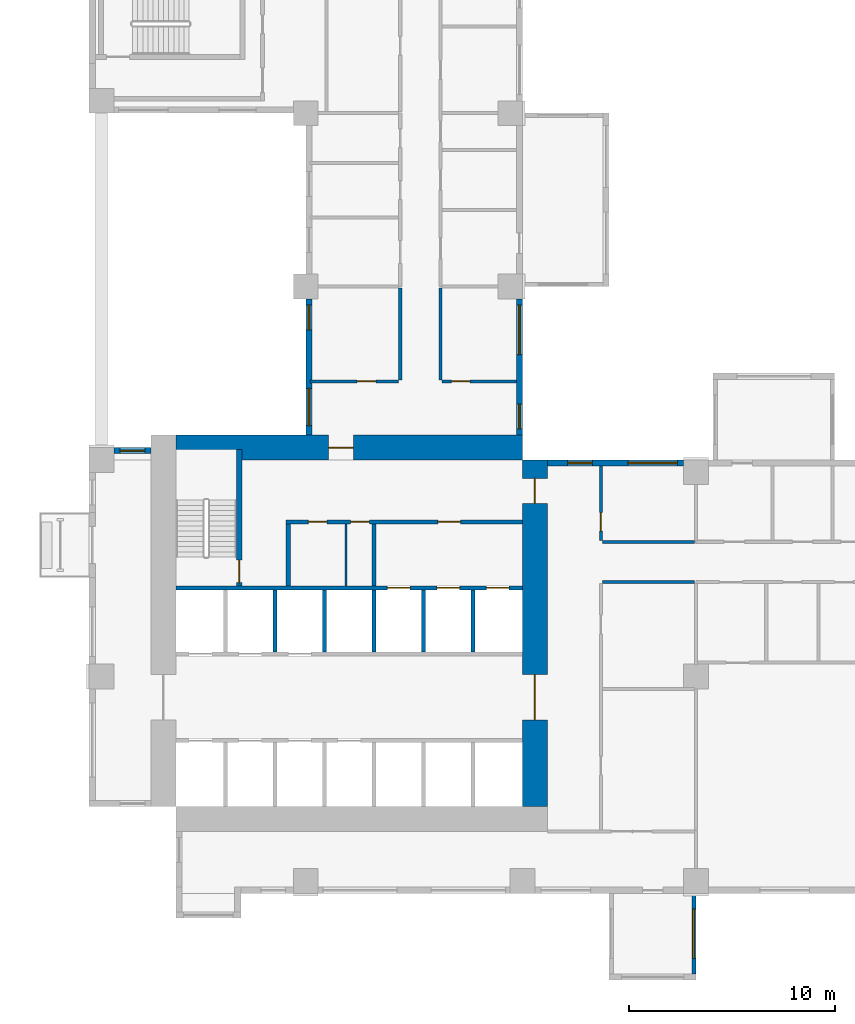
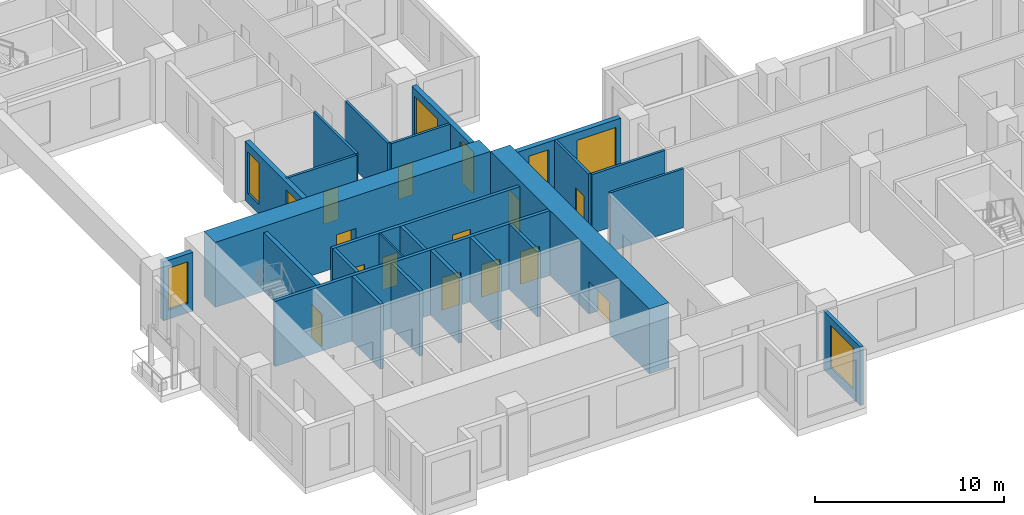
# One storey, part 3 of 14: 25 walls, 13 doors, 8 windows, 21 openings.
"""IFC4 building model written with IfcOpenShell, lengths in metres."""

import ifcopenshell
import ifcopenshell.guid

model = None  # the IFC model being written
_history = None  # IfcOwnerHistory: only IFC2X3 demands one
_inside = {}  # id of a spatial element -> (the spatial element, [elements in it])
_under = {}  # id of a project, library or spatial element -> (it, [spatial elements below it])
_declared = {}  # id of a project -> (the project, [libraries it declares])
_typed = {}  # id of a type object -> (the type object, [elements of that type])
_made_of = {}  # id of a material, layer set ... -> (it, [elements and type objects made of it])


def new_model(schema):
    """Start an empty IFC model of exactly this schema.

    Asked for "IFC4X3", IfcOpenShell would pick the latest addendum, in which some entities
    have other attributes; the version numbers below select the first issue.
    IFC2X3 requires an IfcOwnerHistory on every rooted entity: one is made here for all.
    """
    global model, _history
    if schema == "IFC4X3":
        model = ifcopenshell.file(schema_version=(4, 3, 0, 0))
    else:
        model = ifcopenshell.file(schema=schema)
    _inside.clear()
    _under.clear()
    _declared.clear()
    _typed.clear()
    _made_of.clear()
    _history = None
    if model.schema == "IFC2X3":
        org = make("IfcOrganization", Name="unknown")
        user = make(
            "IfcPersonAndOrganization",
            ThePerson=make("IfcPerson", FamilyName="unknown"),
            TheOrganization=org,
        )
        app = make(
            "IfcApplication",
            ApplicationDeveloper=org,
            Version="unknown",
            ApplicationFullName="unknown",
            ApplicationIdentifier="unknown",
        )
        _history = make(
            "IfcOwnerHistory",
            OwningUser=user,
            OwningApplication=app,
            ChangeAction="ADDED",
            CreationDate=0,
        )
    return model


def make(cls, **values):
    """One entity of the class cls with the attributes given. An attribute that is None is left unset."""
    return model.create_entity(
        cls, **{name: value for name, value in values.items() if value is not None}
    )


def rooted(cls, **values):
    """An entity with a GlobalId (a new one), such as an element, a storey or a relation."""
    return make(cls, GlobalId=ifcopenshell.guid.new(), OwnerHistory=_history, **values)


def si_unit(unit_type, name, prefix=None):
    """IfcSIUnit, for example si_unit("LENGTHUNIT", "METRE", prefix="MILLI")."""
    return make("IfcSIUnit", UnitType=unit_type, Prefix=prefix, Name=name)


def assignment(units):
    """IfcUnitAssignment: the units of a project."""
    return None if units is None else make("IfcUnitAssignment", Units=units)


def point(xyz):
    """IfcCartesianPoint."""
    return None if xyz is None else make("IfcCartesianPoint", Coordinates=xyz)


def direction(xyz):
    """IfcDirection."""
    return None if xyz is None else make("IfcDirection", DirectionRatios=xyz)


def frame(location, z_axis=None, x_axis=None):
    """IfcAxis2Placement3D, a coordinate frame: its origin and axes. An axis left out is left unset."""
    return make(
        "IfcAxis2Placement3D",
        Location=point(location),
        Axis=direction(z_axis),
        RefDirection=direction(x_axis),
    )


def frame_2d(location, x_axis=None):
    """IfcAxis2Placement2D, a coordinate frame in the plane: its origin and x axis."""
    return make(
        "IfcAxis2Placement2D", Location=point(location), RefDirection=direction(x_axis)
    )


def origin():
    """The frame at (0, 0, 0) with its axes left unset."""
    return frame((0.0, 0.0, 0.0))


def place(relative_to, where):
    """IfcLocalPlacement: puts the frame where relative to a parent placement (None: the world)."""
    return make(
        "IfcLocalPlacement", PlacementRelTo=relative_to, RelativePlacement=where
    )


def context(
    kind, dimensions, precision=None, world=None, true_north=None, identifier=None
):
    """IfcGeometricRepresentationContext, for example the 3D "Model" context."""
    return make(
        "IfcGeometricRepresentationContext",
        ContextIdentifier=identifier,
        ContextType=kind,
        CoordinateSpaceDimension=dimensions,
        Precision=precision,
        WorldCoordinateSystem=world,
        TrueNorth=true_north,
    )


def subcontext(parent, identifier, kind, view, scale=None):
    """IfcGeometricRepresentationSubContext, for example "Body" below "Model"."""
    return make(
        "IfcGeometricRepresentationSubContext",
        ContextIdentifier=identifier,
        ContextType=kind,
        ParentContext=parent,
        TargetScale=scale,
        TargetView=view,
    )


def project(units=None, contexts=None):
    """IfcProject with its units and contexts."""
    return rooted(
        "IfcProject",
        Name="project",
        RepresentationContexts=contexts,
        UnitsInContext=assignment(units),
    )


def spatial(cls, under=None, at=None, **own):
    """A site, building, storey or space (cls), placed at a placement, below another one or the project."""
    s = rooted(cls, ObjectPlacement=at, **own)
    if under is not None:
        _under.setdefault(under.id(), (under, []))[1].append(s)
    return s


def profile(cls, at=None, kind="AREA", **sizes):
    """A parametric profile (cls). Its sizes go by their IFC names, for example OverallWidth=200.0."""
    return make(cls, ProfileType=kind, Position=at, **sizes)


def rectangle(**sizes):
    """IfcRectangleProfileDef."""
    return profile("IfcRectangleProfileDef", **sizes)


def extrude(swept, where, along, depth):
    """IfcExtrudedAreaSolid: the profile swept, set in the frame where, extruded along a direction by depth."""
    return make(
        "IfcExtrudedAreaSolid",
        SweptArea=swept,
        Position=where,
        ExtrudedDirection=direction(along),
        Depth=depth,
    )


def shape(context_of_items, identifier, shape_type, items):
    """IfcShapeRepresentation: the items that make up one representation, for example the "Body"."""
    return make(
        "IfcShapeRepresentation",
        ContextOfItems=context_of_items,
        RepresentationIdentifier=identifier,
        RepresentationType=shape_type,
        Items=items,
    )


def source(mapping_origin, context_of_items, identifier, shape_type, items):
    """IfcRepresentationMap: a shape defined once, which mapped items show again and again."""
    return make(
        "IfcRepresentationMap",
        MappingOrigin=mapping_origin,
        MappedRepresentation=shape(context_of_items, identifier, shape_type, items),
    )


def transform(
    local_origin,
    x_axis=None,
    y_axis=None,
    z_axis=None,
    scale=None,
    scale2=None,
    scale3=None,
    uniform=True,
):
    """IfcCartesianTransformationOperator3D, or its non-uniform kind. x_axis, y_axis, z_axis: its Axis1, 2, 3."""
    if uniform:
        return make(
            "IfcCartesianTransformationOperator3D",
            Axis1=direction(x_axis),
            Axis2=direction(y_axis),
            LocalOrigin=point(local_origin),
            Scale=scale,
            Axis3=direction(z_axis),
        )
    return make(
        "IfcCartesianTransformationOperator3DnonUniform",
        Axis1=direction(x_axis),
        Axis2=direction(y_axis),
        LocalOrigin=point(local_origin),
        Scale=scale,
        Axis3=direction(z_axis),
        Scale2=scale2,
        Scale3=scale3,
    )


def mapped(mapping_source, mapping_target):
    """IfcMappedItem: shows the shape of a source again, moved by a transform."""
    return make(
        "IfcMappedItem", MappingSource=mapping_source, MappingTarget=mapping_target
    )


def material(Name=None, Category=None):
    """IfcMaterial."""
    return make("IfcMaterial", Name=Name, Category=Category)


def layer(
    of_material, thickness, ventilated=None, Name=None, Category=None, Priority=None
):
    """IfcMaterialLayer: one layer of a wall or slab, of a material (None: an air gap)."""
    return make(
        "IfcMaterialLayer",
        Material=of_material,
        LayerThickness=thickness,
        IsVentilated=ventilated,
        Name=Name,
        Category=Category,
        Priority=Priority,
    )


def layer_set(layers, Name=None):
    """IfcMaterialLayerSet."""
    return make("IfcMaterialLayerSet", MaterialLayers=layers, LayerSetName=Name)


def made_of(thing, what):
    """Note that an element or type object is made of a material, layer set ...; save() writes the relation."""
    if what is not None:
        _made_of.setdefault(what.id(), (what, []))[1].append(thing)
    return thing


def type_object(cls, material=None, **own):
    """A type object (cls), such as IfcWallType, which elements share."""
    return made_of(rooted(cls, **own), material)


def element(
    cls,
    number,
    at=None,
    inside=None,
    cuts=None,
    type_object=None,
    material=None,
    context=None,
    identifier="Body",
    shape_type=None,
    held_by="IfcProductDefinitionShape",
    body=None,
    shapes=None,
    **own,
):
    """One element of the class cls, such as IfcWall. Its Tag is "e" and its number.

    at: its placement. inside: the storey or other place that contains it. cuts: it is an
    opening in that element (IfcRelVoidsElement). A single representation is given by context,
    identifier, shape_type and body (its items); several are given by shapes. held_by: the class
    of the entity that holds the representations. save() writes the other relations.
    """
    e = rooted(cls, Tag="e%d" % number, ObjectPlacement=at, **own)
    if body is not None:
        shapes = [shape(context, identifier, shape_type, body)]
    if shapes is not None:
        e.Representation = make(held_by, Representations=shapes)
    if inside is not None:
        _inside.setdefault(inside.id(), (inside, []))[1].append(e)
    if cuts is not None:
        rooted(
            "IfcRelVoidsElement", RelatingBuildingElement=cuts, RelatedOpeningElement=e
        )
    if type_object is not None:
        _typed.setdefault(type_object.id(), (type_object, []))[1].append(e)
    return made_of(e, material)


def fill(opening, filler):
    """IfcRelFillsElement: the door or window that sits in an opening."""
    return rooted(
        "IfcRelFillsElement",
        RelatingOpeningElement=opening,
        RelatedBuildingElement=filler,
    )


def aggregate(whole, parts):
    """IfcRelAggregates: a whole, such as a stair, and the parts it consists of."""
    return rooted("IfcRelAggregates", RelatingObject=whole, RelatedObjects=parts)


def save(model, path):
    """Write the relations noted so far, then the file.

    IfcRelAggregates (storeys below a building ...), IfcRelContainedInSpatialStructure (elements
    in a storey), IfcRelDefinesByType, IfcRelAssociatesMaterial and IfcRelDeclares: one each for
    every whole, place, type object, material and project.
    """
    for whole, parts in _under.values():
        aggregate(whole, parts)
    for where, things in _inside.values():
        rooted(
            "IfcRelContainedInSpatialStructure",
            RelatedElements=things,
            RelatingStructure=where,
        )
    for kind, things in _typed.values():
        rooted("IfcRelDefinesByType", RelatedObjects=things, RelatingType=kind)
    for what, things in _made_of.values():
        rooted("IfcRelAssociatesMaterial", RelatedObjects=things, RelatingMaterial=what)
    for by, libraries in _declared.values():
        rooted("IfcRelDeclares", RelatingContext=by, RelatedDefinitions=libraries)
    model.write(path)


model = new_model("IFC4")

# Units and contexts
model_context = context("Model", 3, precision=1e-05, world=origin(), true_north=direction((0.0, 1.0)))
body_context = subcontext(model_context, "Body", "Model", "MODEL_VIEW")
ifc_project = project(units=[si_unit("LENGTHUNIT", "METRE"), si_unit("AREAUNIT", "SQUARE_METRE"), si_unit("VOLUMEUNIT", "CUBIC_METRE"), si_unit("PLANEANGLEUNIT", "RADIAN"), si_unit("MASSUNIT", "GRAM", prefix="KILO")], contexts=[model_context])

# Site, building, storey
site_placement = place(None, origin())
site = spatial("IfcSite", under=ifc_project, at=site_placement, CompositionType="ELEMENT")
building_placement = place(site_placement, origin())
building = spatial("IfcBuilding", under=site, at=building_placement, Name="Aurelian Terraces", CompositionType="ELEMENT")
storey_placement = place(building_placement, frame((0.0, 0.0, 78.3)))
storey = spatial("IfcBuildingStorey", under=building, at=storey_placement, Name="L16", CompositionType="ELEMENT", Elevation=78.3)

# Wall, openings, doors
ifc_material_1 = material(Name="Concrete fc' 83 MPa", Category="concrete")
ifc_layer_1 = layer(ifc_material_1, 1.2)
ifc_layer_set_1 = layer_set([ifc_layer_1], Name="CORE WALL 1200 FC83")
wall_type_1 = type_object("IfcWallType", Name="CORE WALL 1200 FC83", PredefinedType="SHEAR", material=ifc_layer_set_1)
shared_shape_1 = source(origin(), body_context, "Body", "SweptSolid", [
    extrude(rectangle(XDim=16.8, YDim=1.2, at=frame_2d((8.4, 0.0))), origin(), (0.0, 0.0, 1.0), 4.2),
])
wall_1_placement = place(storey_placement, frame((21.6, 4.2, 0.0), z_axis=(0.0, 0.0, 1.0), x_axis=(0.0, 1.0, 0.0)))
wall_1 = element("IfcWall", 1, at=wall_1_placement, inside=storey, type_object=wall_type_1, Name="Core wall E L16", PredefinedType="SHEAR", context=body_context, shape_type="MappedRepresentation", body=[
    mapped(shared_shape_1, transform((0.0, 0.0, 0.0), scale=1.0)),
])
shared_shape_2 = source(origin(), body_context, "Body", "SweptSolid", [
    extrude(rectangle(XDim=2.2, YDim=2.1, at=frame_2d((1.1, 1.05))), frame((0.0, 0.61, 0.0), z_axis=(0.0, -1.0, 0.0), x_axis=(1.0, 0.0, 0.0)), (0.0, 0.0, 1.0), 1.22),
])
opening_1_placement = place(wall_1_placement, frame((4.2, 0.0, 0.0)))
opening_1 = element("IfcOpeningElement", 2, at=opening_1_placement, cuts=wall_1, Name="Opening 61920", PredefinedType="OPENING", context=body_context, shape_type="MappedRepresentation", body=[
    mapped(shared_shape_2, transform((0.0, 0.0, 0.0), scale=1.0)),
])
shared_shape_3 = source(origin(), body_context, "Body", "SweptSolid", [
    extrude(rectangle(XDim=1.2, YDim=2.1, at=frame_2d((0.6, 1.05))), frame((0.0, 0.61, 0.0), z_axis=(0.0, -1.0, 0.0), x_axis=(1.0, 0.0, 0.0)), (0.0, 0.0, 1.0), 1.22),
])
opening_2_placement = place(wall_1_placement, frame((14.7, 0.0, 0.0)))
opening_2 = element("IfcOpeningElement", 3, at=opening_2_placement, cuts=wall_1, Name="Opening 61923", PredefinedType="OPENING", context=body_context, shape_type="MappedRepresentation", body=[
    mapped(shared_shape_3, transform((0.0, 0.0, 0.0), scale=1.0)),
])
ifc_material_2 = material(Name="Steel door leaf", Category="steel")
door_type_1 = type_object("IfcDoorType", Name="Core fire door 1200x2100", OperationType="SINGLE_SWING_LEFT", PredefinedType="DOOR", material=ifc_material_2)
shared_shape_4 = source(origin(), body_context, "Body", "SweptSolid", [
    extrude(rectangle(XDim=1.2, YDim=2.1, at=frame_2d((0.6, 1.05))), frame((0.0, 0.025, 0.0), z_axis=(0.0, -1.0, 0.0), x_axis=(1.0, 0.0, 0.0)), (0.0, 0.0, 1.0), 0.05),
])
door_1_placement = place(opening_2_placement, origin())
door_1 = element("IfcDoor", 4, at=door_1_placement, inside=storey, type_object=door_type_1, Name="Core door 61923", OperationType="SINGLE_SWING_LEFT", OverallHeight=2.1, OverallWidth=1.2, PredefinedType="DOOR", context=body_context, shape_type="MappedRepresentation", body=[
    mapped(shared_shape_4, transform((0.0, 0.0, 0.0), scale=1.0)),
])
fill(opening_2, door_1)
door_type_2 = type_object("IfcDoorType", Name="Core double door 2200x2100", OperationType="DOUBLE_DOOR_SINGLE_SWING", PredefinedType="DOOR", material=ifc_material_2)
shared_shape_5 = source(origin(), body_context, "Body", "SweptSolid", [
    extrude(rectangle(XDim=2.2, YDim=2.1, at=frame_2d((1.1, 1.05))), frame((0.0, 0.025, 0.0), z_axis=(0.0, -1.0, 0.0), x_axis=(1.0, 0.0, 0.0)), (0.0, 0.0, 1.0), 0.05),
])
door_2_placement = place(opening_1_placement, origin())
door_2 = element("IfcDoor", 5, at=door_2_placement, inside=storey, type_object=door_type_2, Name="Core door 61920", OperationType="DOUBLE_DOOR_SINGLE_SWING", OverallHeight=2.1, OverallWidth=2.2, PredefinedType="DOOR", context=body_context, shape_type="MappedRepresentation", body=[
    mapped(shared_shape_5, transform((0.0, 0.0, 0.0), scale=1.0)),
])
fill(opening_1, door_2)

# Wall, opening, door
wall_2_placement = place(storey_placement, frame((4.2, 21.6, 0.0), z_axis=(0.0, 0.0, 1.0), x_axis=(1.0, 0.0, 0.0)))
wall_2 = element("IfcWall", 6, at=wall_2_placement, inside=storey, type_object=wall_type_1, Name="Core wall N L16", PredefinedType="SHEAR", context=body_context, shape_type="MappedRepresentation", body=[
    mapped(shared_shape_1, transform((0.0, 0.0, 0.0), scale=1.0)),
])
opening_3_placement = place(wall_2_placement, frame((7.4, 0.0, 0.0)))
opening_3 = element("IfcOpeningElement", 7, at=opening_3_placement, cuts=wall_2, Name="Opening 61922", PredefinedType="OPENING", context=body_context, shape_type="MappedRepresentation", body=[
    mapped(shared_shape_3, transform((0.0, 0.0, 0.0), scale=1.0)),
])
door_type_3 = type_object("IfcDoorType", Name="Core fire door 1200x2100 right", OperationType="SINGLE_SWING_RIGHT", PredefinedType="DOOR", material=ifc_material_2)
door_3_placement = place(opening_3_placement, origin())
door_3 = element("IfcDoor", 8, at=door_3_placement, inside=storey, type_object=door_type_3, Name="Core door 61922", OperationType="SINGLE_SWING_RIGHT", OverallHeight=2.1, OverallWidth=1.2, PredefinedType="DOOR", context=body_context, shape_type="MappedRepresentation", body=[
    mapped(shared_shape_4, transform((0.0, 0.0, 0.0), scale=1.0)),
])
fill(opening_3, door_3)

# Wall, opening, window
ifc_material_3 = material(Name="Terracotta rainscreen cladding", Category="masonry")
ifc_layer_2 = layer(ifc_material_3, 0.3)
ifc_layer_set_2 = layer_set([ifc_layer_2], Name="EW-300")
wall_type_2 = type_object("IfcWallType", Name="EW-300", PredefinedType="STANDARD", material=ifc_layer_set_2)
shared_shape_6 = source(origin(), body_context, "Body", "SweptSolid", [
    extrude(rectangle(XDim=1.8, YDim=0.3, at=frame_2d((0.9, 0.0))), origin(), (0.0, 0.0, 1.0), 3.8),
])
wall_3_placement = place(storey_placement, frame((3.0, 21.45, 0.0), z_axis=(0.0, 0.0, 1.0), x_axis=(-1.0, 0.0, 0.0)))
wall_3 = element("IfcWall", 9, at=wall_3_placement, inside=storey, type_object=wall_type_2, Name="External wall L16 F15.35", PredefinedType="STANDARD", context=body_context, shape_type="MappedRepresentation", body=[
    mapped(shared_shape_6, transform((0.0, 0.0, 0.0), scale=1.0)),
])
shared_shape_7 = source(origin(), body_context, "Body", "SweptSolid", [
    extrude(rectangle(XDim=1.2, YDim=2.7, at=frame_2d((0.6, 1.35))), frame((0.0, 0.16, 0.0), z_axis=(0.0, -1.0, 0.0), x_axis=(1.0, 0.0, 0.0)), (0.0, 0.0, 1.0), 0.32),
])
opening_4_placement = place(wall_3_placement, frame((0.3, 0.0, 0.6)))
opening_4 = element("IfcOpeningElement", 10, at=opening_4_placement, cuts=wall_3, Name="Opening W1227", PredefinedType="OPENING", context=body_context, shape_type="MappedRepresentation", body=[
    mapped(shared_shape_7, transform((0.0, 0.0, 0.0), scale=1.0)),
])
ifc_material_4 = material(Name="Clear glazing", Category="glass")
window_type_1 = type_object("IfcWindowType", Name="W-1200x2700", PartitioningType="SINGLE_PANEL", PredefinedType="WINDOW", material=ifc_material_4)
shared_shape_8 = source(origin(), body_context, "Body", "SweptSolid", [
    extrude(rectangle(XDim=1.2, YDim=2.7, at=frame_2d((0.6, 1.35))), frame((0.0, 0.03, 0.0), z_axis=(0.0, -1.0, 0.0), x_axis=(1.0, 0.0, 0.0)), (0.0, 0.0, 1.0), 0.06),
])
window_1_placement = place(opening_4_placement, origin())
window_1 = element("IfcWindow", 11, at=window_1_placement, inside=storey, type_object=window_type_1, Name="Window L16 L16-F15-35-P0", OverallHeight=2.7, OverallWidth=1.2, PartitioningType="SINGLE_PANEL", PredefinedType="WINDOW", context=body_context, shape_type="MappedRepresentation", body=[
    mapped(shared_shape_8, transform((0.0, 0.0, 0.0), scale=1.0)),
])
fill(opening_4, window_1)

ifc_material_5 = material(Name="Concrete fc' 40 MPa", Category="concrete")
ifc_layer_3 = layer(ifc_material_5, 0.2)
ifc_layer_set_3 = layer_set([ifc_layer_3], Name="BOX BEARING WALL 200")
wall_type_3 = type_object("IfcWallType", Name="BOX BEARING WALL 200", PredefinedType="SOLIDWALL", material=ifc_layer_set_3)
shared_shape_9 = source(origin(), body_context, "Body", "SweptSolid", [
    extrude(rectangle(XDim=3.9, YDim=0.2, at=frame_2d((1.95, 0.0))), origin(), (0.0, 0.0, 1.0), 3.79),
])
wall_4_placement = place(storey_placement, frame((29.3, 0.0, 0.0), z_axis=(0.0, 0.0, 1.0), x_axis=(0.0, -1.0, 0.0)))
wall_4 = element("IfcWall", 12, at=wall_4_placement, inside=storey, type_object=wall_type_3, Name="Box return L16 J19.2", PredefinedType="SOLIDWALL", context=body_context, shape_type="MappedRepresentation", body=[
    mapped(shared_shape_9, transform((0.0, 0.0, 0.0), scale=1.0)),
])
shared_shape_10 = source(origin(), body_context, "Body", "SweptSolid", [
    extrude(rectangle(XDim=2.4, YDim=2.7, at=frame_2d((1.2, 1.35))), frame((0.0, 0.11, 0.0), z_axis=(0.0, -1.0, 0.0), x_axis=(1.0, 0.0, 0.0)), (0.0, 0.0, 1.0), 0.22),
])
opening_5_placement = place(wall_4_placement, frame((0.75, 0.0, 0.6)))
opening_5 = element("IfcOpeningElement", 13, at=opening_5_placement, cuts=wall_4, Name="Opening W2427", PredefinedType="OPENING", context=body_context, shape_type="MappedRepresentation", body=[
    mapped(shared_shape_10, transform((0.0, 0.0, 0.0), scale=1.0)),
])
window_type_2 = type_object("IfcWindowType", Name="W-2400x2700", PartitioningType="SINGLE_PANEL", PredefinedType="WINDOW", material=ifc_material_4)
shared_shape_11 = source(origin(), body_context, "Body", "SweptSolid", [
    extrude(rectangle(XDim=2.4, YDim=2.7, at=frame_2d((1.2, 1.35))), frame((0.0, 0.03, 0.0), z_axis=(0.0, -1.0, 0.0), x_axis=(1.0, 0.0, 0.0)), (0.0, 0.0, 1.0), 0.06),
])
window_2_placement = place(opening_5_placement, origin())
window_2 = element("IfcWindow", 14, at=window_2_placement, inside=storey, type_object=window_type_2, Name="Window L16 J19-S2", OverallHeight=2.7, OverallWidth=2.4, PartitioningType="SINGLE_PANEL", PredefinedType="WINDOW", context=body_context, shape_type="MappedRepresentation", body=[
    mapped(shared_shape_11, transform((0.0, 0.0, 0.0), scale=1.0)),
])
fill(opening_5, window_2)

# Wall, openings, windows
shared_shape_12 = source(origin(), body_context, "Body", "SweptSolid", [
    extrude(rectangle(XDim=6.6, YDim=0.3, at=frame_2d((3.3, 0.0))), origin(), (0.0, 0.0, 1.0), 3.8),
])
wall_5_placement = place(storey_placement, frame((28.8, 20.85, 0.0), z_axis=(0.0, 0.0, 1.0), x_axis=(-1.0, 0.0, 0.0)))
wall_5 = element("IfcWall", 15, at=wall_5_placement, inside=storey, type_object=wall_type_2, Name="External wall L16 F07.19", PredefinedType="STANDARD", context=body_context, shape_type="MappedRepresentation", body=[
    mapped(shared_shape_12, transform((0.0, 0.0, 0.0), scale=1.0)),
])
shared_shape_13 = source(origin(), body_context, "Body", "SweptSolid", [
    extrude(rectangle(XDim=2.4, YDim=2.7, at=frame_2d((1.2, 1.35))), frame((0.0, 0.16, 0.0), z_axis=(0.0, -1.0, 0.0), x_axis=(1.0, 0.0, 0.0)), (0.0, 0.0, 1.0), 0.32),
])
opening_6_placement = place(wall_5_placement, frame((0.3, 0.0, 0.6)))
opening_6 = element("IfcOpeningElement", 16, at=opening_6_placement, cuts=wall_5, Name="Opening W2427", PredefinedType="OPENING", context=body_context, shape_type="MappedRepresentation", body=[
    mapped(shared_shape_13, transform((0.0, 0.0, 0.0), scale=1.0)),
])
opening_7_placement = place(wall_5_placement, frame((4.4125, 0.0, 0.6)))
opening_7 = element("IfcOpeningElement", 17, at=opening_7_placement, cuts=wall_5, Name="Opening W1227", PredefinedType="OPENING", context=body_context, shape_type="MappedRepresentation", body=[
    mapped(shared_shape_7, transform((0.0, 0.0, 0.0), scale=1.0)),
])
window_3_placement = place(opening_6_placement, origin())
window_3 = element("IfcWindow", 18, at=window_3_placement, inside=storey, type_object=window_type_2, Name="Window L16 L16-F07-19-3", OverallHeight=2.7, OverallWidth=2.4, PartitioningType="SINGLE_PANEL", PredefinedType="WINDOW", context=body_context, shape_type="MappedRepresentation", body=[
    mapped(shared_shape_11, transform((0.0, 0.0, 0.0), scale=1.0)),
])
fill(opening_6, window_3)
window_4_placement = place(opening_7_placement, origin())
window_4 = element("IfcWindow", 19, at=window_4_placement, inside=storey, type_object=window_type_1, Name="Window L16 L16-F07-19-G2-201", OverallHeight=2.7, OverallWidth=1.2, PartitioningType="SINGLE_PANEL", PredefinedType="WINDOW", context=body_context, shape_type="MappedRepresentation", body=[
    mapped(shared_shape_8, transform((0.0, 0.0, 0.0), scale=1.0)),
])
fill(opening_7, window_4)

wall_6_placement = place(storey_placement, frame((20.85, 22.2, 0.0), z_axis=(0.0, 0.0, 1.0), x_axis=(0.0, 1.0, 0.0)))
wall_6 = element("IfcWall", 20, at=wall_6_placement, inside=storey, type_object=wall_type_2, Name="External wall L16 F08.20", PredefinedType="STANDARD", context=body_context, shape_type="MappedRepresentation", body=[
    mapped(shared_shape_12, transform((0.0, 0.0, 0.0), scale=1.0)),
])
opening_8_placement = place(wall_6_placement, frame((0.3, 0.0, 0.6)))
opening_8 = element("IfcOpeningElement", 21, at=opening_8_placement, cuts=wall_6, Name="Opening W1227", PredefinedType="OPENING", context=body_context, shape_type="MappedRepresentation", body=[
    mapped(shared_shape_7, transform((0.0, 0.0, 0.0), scale=1.0)),
])
opening_9_placement = place(wall_6_placement, frame((3.9, 0.0, 0.6)))
opening_9 = element("IfcOpeningElement", 22, at=opening_9_placement, cuts=wall_6, Name="Opening W2427", PredefinedType="OPENING", context=body_context, shape_type="MappedRepresentation", body=[
    mapped(shared_shape_13, transform((0.0, 0.0, 0.0), scale=1.0)),
])
window_5_placement = place(opening_9_placement, origin())
window_5 = element("IfcWindow", 23, at=window_5_placement, inside=storey, type_object=window_type_2, Name="Window L16 L16-F08-20-1", OverallHeight=2.7, OverallWidth=2.4, PartitioningType="SINGLE_PANEL", PredefinedType="WINDOW", context=body_context, shape_type="MappedRepresentation", body=[
    mapped(shared_shape_11, transform((0.0, 0.0, 0.0), scale=1.0)),
])
fill(opening_9, window_5)
window_6_placement = place(opening_8_placement, origin())
window_6 = element("IfcWindow", 24, at=window_6_placement, inside=storey, type_object=window_type_1, Name="Window L16 L16-F08-20-0", OverallHeight=2.7, OverallWidth=1.2, PartitioningType="SINGLE_PANEL", PredefinedType="WINDOW", context=body_context, shape_type="MappedRepresentation", body=[
    mapped(shared_shape_8, transform((0.0, 0.0, 0.0), scale=1.0)),
])
fill(opening_8, window_6)

wall_7_placement = place(storey_placement, frame((10.65, 28.8, 0.0), z_axis=(0.0, 0.0, 1.0), x_axis=(0.0, -1.0, 0.0)))
wall_7 = element("IfcWall", 25, at=wall_7_placement, inside=storey, type_object=wall_type_2, Name="External wall L16 F14.33", PredefinedType="STANDARD", context=body_context, shape_type="MappedRepresentation", body=[
    mapped(shared_shape_12, transform((0.0, 0.0, 0.0), scale=1.0)),
])
opening_10_placement = place(wall_7_placement, frame((0.3, 0.0, 0.6)))
opening_10 = element("IfcOpeningElement", 26, at=opening_10_placement, cuts=wall_7, Name="Opening W1227", PredefinedType="OPENING", context=body_context, shape_type="MappedRepresentation", body=[
    mapped(shared_shape_7, transform((0.0, 0.0, 0.0), scale=1.0)),
])
shared_shape_14 = source(origin(), body_context, "Body", "SweptSolid", [
    extrude(rectangle(XDim=1.8, YDim=2.7, at=frame_2d((0.9, 1.35))), frame((0.0, 0.16, 0.0), z_axis=(0.0, -1.0, 0.0), x_axis=(1.0, 0.0, 0.0)), (0.0, 0.0, 1.0), 0.32),
])
opening_11_placement = place(wall_7_placement, frame((4.3375, 0.0, 0.6)))
opening_11 = element("IfcOpeningElement", 27, at=opening_11_placement, cuts=wall_7, Name="Opening W1827", PredefinedType="OPENING", context=body_context, shape_type="MappedRepresentation", body=[
    mapped(shared_shape_14, transform((0.0, 0.0, 0.0), scale=1.0)),
])
window_type_3 = type_object("IfcWindowType", Name="W-1800x2700", PartitioningType="SINGLE_PANEL", PredefinedType="WINDOW", material=ifc_material_4)
shared_shape_15 = source(origin(), body_context, "Body", "SweptSolid", [
    extrude(rectangle(XDim=1.8, YDim=2.7, at=frame_2d((0.9, 1.35))), frame((0.0, 0.03, 0.0), z_axis=(0.0, -1.0, 0.0), x_axis=(1.0, 0.0, 0.0)), (0.0, 0.0, 1.0), 0.06),
])
window_7_placement = place(opening_11_placement, origin())
window_7 = element("IfcWindow", 28, at=window_7_placement, inside=storey, type_object=window_type_3, Name="Window L16 L16-F14-33-3", OverallHeight=2.7, OverallWidth=1.8, PartitioningType="SINGLE_PANEL", PredefinedType="WINDOW", context=body_context, shape_type="MappedRepresentation", body=[
    mapped(shared_shape_15, transform((0.0, 0.0, 0.0), scale=1.0)),
])
fill(opening_11, window_7)
window_8_placement = place(opening_10_placement, origin())
window_8 = element("IfcWindow", 29, at=window_8_placement, inside=storey, type_object=window_type_1, Name="Window L16 L16-F14-33-2", OverallHeight=2.7, OverallWidth=1.2, PartitioningType="SINGLE_PANEL", PredefinedType="WINDOW", context=body_context, shape_type="MappedRepresentation", body=[
    mapped(shared_shape_8, transform((0.0, 0.0, 0.0), scale=1.0)),
])
fill(opening_10, window_8)

# Walls
ifc_layer_4 = layer(ifc_material_5, 0.2)
ifc_layer_set_4 = layer_set([ifc_layer_4], Name="Lift shaft wall 200")
wall_type_4 = type_object("IfcWallType", Name="Lift shaft wall 200", PredefinedType="SOLIDWALL", material=ifc_layer_set_4)
shared_shape_16 = source(origin(), body_context, "Body", "SweptSolid", [
    extrude(rectangle(XDim=3.0, YDim=0.2, at=frame_2d((1.5, 0.0))), origin(), (0.0, 0.0, 1.0), 4.2),
])
for number, where, z_axis, x_axis, name in (
    (30, (9.0, 11.7, 0.0), (0.0, 0.0, 1.0), (0.0, 1.0, 0.0), "L16 core wall CD-B2"),
    (31, (11.4, 11.7, 0.0), (0.0, 0.0, 1.0), (0.0, 1.0, 0.0), "L16 core wall CD-B3"),
    (32, (13.8, 11.7, 0.0), (0.0, 0.0, 1.0), (0.0, 1.0, 0.0), "L16 core wall CD-B4"),
    (33, (16.2, 11.7, 0.0), (0.0, 0.0, 1.0), (0.0, 1.0, 0.0), "L16 core wall CD-B5"),
    (34, (18.6, 11.7, 0.0), (0.0, 0.0, 1.0), (0.0, 1.0, 0.0), "L16 core wall CD-B6"),
):
    element("IfcWall", number, at=place(storey_placement, frame(where, z_axis=z_axis, x_axis=x_axis)), inside=storey, type_object=wall_type_4, Name=name, PredefinedType="SOLIDWALL", context=body_context, shape_type="MappedRepresentation", body=[
        mapped(shared_shape_16, transform((0.0, 0.0, 0.0), scale=1.0)),
    ])

# Wall, openings, doors
shared_shape_17 = source(origin(), body_context, "Body", "SweptSolid", [
    extrude(rectangle(XDim=16.8, YDim=0.2, at=frame_2d((8.4, 0.0))), origin(), (0.0, 0.0, 1.0), 4.2),
])
wall_8_placement = place(storey_placement, frame((4.2, 14.8, 0.0), z_axis=(0.0, 0.0, 1.0), x_axis=(1.0, 0.0, 0.0)))
wall_8 = element("IfcWall", 35, at=wall_8_placement, inside=storey, type_object=wall_type_4, Name="L16 core wall CF-BB1", PredefinedType="SOLIDWALL", context=body_context, shape_type="MappedRepresentation", body=[
    mapped(shared_shape_17, transform((0.0, 0.0, 0.0), scale=1.0)),
])
shared_shape_18 = source(origin(), body_context, "Body", "SweptSolid", [
    extrude(rectangle(XDim=1.1, YDim=2.1, at=frame_2d((0.55, 1.05))), frame((0.0, 0.11, 0.0), z_axis=(0.0, -1.0, 0.0), x_axis=(1.0, 0.0, 0.0)), (0.0, 0.0, 1.0), 0.22),
])
opening_12_placement = place(wall_8_placement, frame((10.25, 0.0, 0.0)))
opening_12 = element("IfcOpeningElement", 36, at=opening_12_placement, cuts=wall_8, Name="Opening 61907", PredefinedType="OPENING", context=body_context, shape_type="MappedRepresentation", body=[
    mapped(shared_shape_18, transform((0.0, 0.0, 0.0), scale=1.0)),
])
opening_13_placement = place(wall_8_placement, frame((12.65, 0.0, 0.0)))
opening_13 = element("IfcOpeningElement", 37, at=opening_13_placement, cuts=wall_8, Name="Opening 61908", PredefinedType="OPENING", context=body_context, shape_type="MappedRepresentation", body=[
    mapped(shared_shape_18, transform((0.0, 0.0, 0.0), scale=1.0)),
])
opening_14_placement = place(wall_8_placement, frame((15.05, 0.0, 0.0)))
opening_14 = element("IfcOpeningElement", 38, at=opening_14_placement, cuts=wall_8, Name="Opening 61909", PredefinedType="OPENING", context=body_context, shape_type="MappedRepresentation", body=[
    mapped(shared_shape_18, transform((0.0, 0.0, 0.0), scale=1.0)),
])
ifc_material_6 = material(Name="Stainless steel", Category="steel")
door_type_4 = type_object("IfcDoorType", Name="Lift landing door 1100x2100", OperationType="SLIDING_TO_LEFT", PredefinedType="DOOR", material=ifc_material_6)
shared_shape_19 = source(origin(), body_context, "Body", "SweptSolid", [
    extrude(rectangle(XDim=1.1, YDim=2.1, at=frame_2d((0.55, 1.05))), frame((0.0, 0.025, 0.0), z_axis=(0.0, -1.0, 0.0), x_axis=(1.0, 0.0, 0.0)), (0.0, 0.0, 1.0), 0.05),
])
door_4_placement = place(opening_12_placement, origin())
door_4 = element("IfcDoor", 39, at=door_4_placement, inside=storey, type_object=door_type_4, Name="Lift landing door F1 L16", OperationType="SLIDING_TO_LEFT", OverallHeight=2.1, OverallWidth=1.1, PredefinedType="DOOR", context=body_context, shape_type="MappedRepresentation", body=[
    mapped(shared_shape_19, transform((0.0, 0.0, 0.0), scale=1.0)),
])
fill(opening_12, door_4)
door_5_placement = place(opening_13_placement, origin())
door_5 = element("IfcDoor", 40, at=door_5_placement, inside=storey, type_object=door_type_4, Name="Lift landing door F2 L16", OperationType="SLIDING_TO_LEFT", OverallHeight=2.1, OverallWidth=1.1, PredefinedType="DOOR", context=body_context, shape_type="MappedRepresentation", body=[
    mapped(shared_shape_19, transform((0.0, 0.0, 0.0), scale=1.0)),
])
fill(opening_13, door_5)
door_6_placement = place(opening_14_placement, origin())
door_6 = element("IfcDoor", 41, at=door_6_placement, inside=storey, type_object=door_type_4, Name="Lift landing door F3 L16", OperationType="SLIDING_TO_LEFT", OverallHeight=2.1, OverallWidth=1.1, PredefinedType="DOOR", context=body_context, shape_type="MappedRepresentation", body=[
    mapped(shared_shape_19, transform((0.0, 0.0, 0.0), scale=1.0)),
])
fill(opening_14, door_6)

# Walls
ifc_material_7 = material(Name="Gypsum board on steel studs", Category="steel")
ifc_layer_5 = layer(ifc_material_7, 0.2)
ifc_layer_set_5 = layer_set([ifc_layer_5], Name="Core partition 200")
wall_type_5 = type_object("IfcWallType", Name="Core partition 200", PredefinedType="PARTITIONING", material=ifc_layer_set_5)
shared_shape_20 = source(origin(), body_context, "Body", "SweptSolid", [
    extrude(rectangle(XDim=3.0, YDim=0.2, at=frame_2d((1.5, 0.0))), origin(), (0.0, 0.0, 1.0), 3.8),
])
for number, where, z_axis, x_axis, name in (
    (42, (9.65, 14.9, 0.0), (0.0, 0.0, 1.0), (0.0, 1.0, 0.0), "L16 core wall CP-VEST"),
    (43, (13.8, 14.9, 0.0), (0.0, 0.0, 1.0), (0.0, 1.0, 0.0), "L16 core wall CP-FFL"),
):
    element("IfcWall", number, at=place(storey_placement, frame(where, z_axis=z_axis, x_axis=x_axis)), inside=storey, type_object=wall_type_5, Name=name, PredefinedType="PARTITIONING", context=body_context, shape_type="MappedRepresentation", body=[
        mapped(shared_shape_20, transform((0.0, 0.0, 0.0), scale=1.0)),
    ])
ifc_layer_6 = layer(ifc_material_7, 0.1)
ifc_layer_set_6 = layer_set([ifc_layer_6], Name="Core partition 100")
wall_type_6 = type_object("IfcWallType", Name="Core partition 100", PredefinedType="PARTITIONING", material=ifc_layer_set_6)
shared_shape_21 = source(origin(), body_context, "Body", "SweptSolid", [
    extrude(rectangle(XDim=3.0, YDim=0.1, at=frame_2d((1.5, 0.0))), origin(), (0.0, 0.0, 1.0), 3.8),
])
wall_9_placement = place(storey_placement, frame((12.45, 14.9, 0.0), z_axis=(0.0, 0.0, 1.0), x_axis=(0.0, 1.0, 0.0)))
element("IfcWall", 44, at=wall_9_placement, inside=storey, type_object=wall_type_6, Name="L16 core wall CP-SV1", PredefinedType="PARTITIONING", context=body_context, shape_type="MappedRepresentation", body=[
    mapped(shared_shape_21, transform((0.0, 0.0, 0.0), scale=1.0)),
])

# Wall, opening, door
ifc_layer_7 = layer(ifc_material_5, 0.25)
ifc_layer_set_7 = layer_set([ifc_layer_7], Name="Stair enclosure wall 250")
wall_type_7 = type_object("IfcWallType", Name="Stair enclosure wall 250", PredefinedType="SOLIDWALL", material=ifc_layer_set_7)
shared_shape_22 = source(origin(), body_context, "Body", "SweptSolid", [
    extrude(rectangle(XDim=6.6, YDim=0.25, at=frame_2d((3.3, 0.0))), origin(), (0.0, 0.0, 1.0), 3.8),
])
wall_10_placement = place(storey_placement, frame((7.275, 14.9, 0.0), z_axis=(0.0, 0.0, 1.0), x_axis=(0.0, 1.0, 0.0)))
wall_10 = element("IfcWall", 45, at=wall_10_placement, inside=storey, type_object=wall_type_7, Name="L16 core wall ST-S1-E", PredefinedType="SOLIDWALL", context=body_context, shape_type="MappedRepresentation", body=[
    mapped(shared_shape_22, transform((0.0, 0.0, 0.0), scale=1.0)),
])
shared_shape_23 = source(origin(), body_context, "Body", "SweptSolid", [
    extrude(rectangle(XDim=1.1, YDim=2.1, at=frame_2d((0.55, 1.05))), frame((0.0, 0.135, 0.0), z_axis=(0.0, -1.0, 0.0), x_axis=(1.0, 0.0, 0.0)), (0.0, 0.0, 1.0), 0.27),
])
opening_15_placement = place(wall_10_placement, frame((0.15, 0.0, 0.0)))
opening_15 = element("IfcOpeningElement", 46, at=opening_15_placement, cuts=wall_10, Name="Opening 61910", PredefinedType="OPENING", context=body_context, shape_type="MappedRepresentation", body=[
    mapped(shared_shape_23, transform((0.0, 0.0, 0.0), scale=1.0)),
])
door_type_5 = type_object("IfcDoorType", Name="Core fire door 1100x2100 right", OperationType="SINGLE_SWING_RIGHT", PredefinedType="DOOR", material=ifc_material_2)
door_7_placement = place(opening_15_placement, origin())
door_7 = element("IfcDoor", 47, at=door_7_placement, inside=storey, type_object=door_type_5, Name="Stair door 61910", OperationType="SINGLE_SWING_RIGHT", OverallHeight=2.1, OverallWidth=1.1, PredefinedType="DOOR", context=body_context, shape_type="MappedRepresentation", body=[
    mapped(shared_shape_19, transform((0.0, 0.0, 0.0), scale=1.0)),
])
fill(opening_15, door_7)

# Wall, openings, doors
shared_shape_24 = source(origin(), body_context, "Body", "SweptSolid", [
    extrude(rectangle(XDim=11.45, YDim=0.2, at=frame_2d((5.725, 0.0))), origin(), (0.0, 0.0, 1.0), 3.8),
])
wall_11_placement = place(storey_placement, frame((9.55, 18.0, 0.0), z_axis=(0.0, 0.0, 1.0), x_axis=(1.0, 0.0, 0.0)))
wall_11 = element("IfcWall", 48, at=wall_11_placement, inside=storey, type_object=wall_type_5, Name="L16 core wall CP-NORTH", PredefinedType="PARTITIONING", context=body_context, shape_type="MappedRepresentation", body=[
    mapped(shared_shape_24, transform((0.0, 0.0, 0.0), scale=1.0)),
])
shared_shape_25 = source(origin(), body_context, "Body", "SweptSolid", [
    extrude(rectangle(XDim=0.9, YDim=2.1, at=frame_2d((0.45, 1.05))), frame((0.0, 0.11, 0.0), z_axis=(0.0, -1.0, 0.0), x_axis=(1.0, 0.0, 0.0)), (0.0, 0.0, 1.0), 0.22),
])
opening_16_placement = place(wall_11_placement, frame((1.075, 0.0, 0.0)))
opening_16 = element("IfcOpeningElement", 49, at=opening_16_placement, cuts=wall_11, Name="Opening 61911", PredefinedType="OPENING", context=body_context, shape_type="MappedRepresentation", body=[
    mapped(shared_shape_25, transform((0.0, 0.0, 0.0), scale=1.0)),
])
opening_17_placement = place(wall_11_placement, frame((3.125, 0.0, 0.0)))
opening_17 = element("IfcOpeningElement", 50, at=opening_17_placement, cuts=wall_11, Name="Opening 61912", PredefinedType="OPENING", context=body_context, shape_type="MappedRepresentation", body=[
    mapped(shared_shape_25, transform((0.0, 0.0, 0.0), scale=1.0)),
])
opening_18_placement = place(wall_11_placement, frame((7.35, 0.0, 0.0)))
opening_18 = element("IfcOpeningElement", 51, at=opening_18_placement, cuts=wall_11, Name="Opening 61913", PredefinedType="OPENING", context=body_context, shape_type="MappedRepresentation", body=[
    mapped(shared_shape_18, transform((0.0, 0.0, 0.0), scale=1.0)),
])
door_type_6 = type_object("IfcDoorType", Name="Core service door 900x2100", OperationType="SINGLE_SWING_LEFT", PredefinedType="DOOR", material=ifc_material_2)
shared_shape_26 = source(origin(), body_context, "Body", "SweptSolid", [
    extrude(rectangle(XDim=0.9, YDim=2.1, at=frame_2d((0.45, 1.05))), frame((0.0, 0.025, 0.0), z_axis=(0.0, -1.0, 0.0), x_axis=(1.0, 0.0, 0.0)), (0.0, 0.0, 1.0), 0.05),
])
door_8_placement = place(opening_16_placement, origin())
door_8 = element("IfcDoor", 52, at=door_8_placement, inside=storey, type_object=door_type_6, Name="Room door 61911", OperationType="SINGLE_SWING_LEFT", OverallHeight=2.1, OverallWidth=0.9, PredefinedType="DOOR", context=body_context, shape_type="MappedRepresentation", body=[
    mapped(shared_shape_26, transform((0.0, 0.0, 0.0), scale=1.0)),
])
fill(opening_16, door_8)
door_type_7 = type_object("IfcDoorType", Name="Core riser door 900x2100 right", OperationType="SINGLE_SWING_RIGHT", PredefinedType="DOOR", material=ifc_material_2)
door_9_placement = place(opening_17_placement, origin())
door_9 = element("IfcDoor", 53, at=door_9_placement, inside=storey, type_object=door_type_7, Name="Room door 61912", OperationType="SINGLE_SWING_RIGHT", OverallHeight=2.1, OverallWidth=0.9, PredefinedType="DOOR", context=body_context, shape_type="MappedRepresentation", body=[
    mapped(shared_shape_26, transform((0.0, 0.0, 0.0), scale=1.0)),
])
fill(opening_17, door_9)
door_type_8 = type_object("IfcDoorType", Name="Core fire door 1100x2100", OperationType="SINGLE_SWING_LEFT", PredefinedType="DOOR", material=ifc_material_2)
door_10_placement = place(opening_18_placement, origin())
door_10 = element("IfcDoor", 54, at=door_10_placement, inside=storey, type_object=door_type_8, Name="Ff lobby door 61913", OperationType="SINGLE_SWING_LEFT", OverallHeight=2.1, OverallWidth=1.1, PredefinedType="DOOR", context=body_context, shape_type="MappedRepresentation", body=[
    mapped(shared_shape_19, transform((0.0, 0.0, 0.0), scale=1.0)),
])
fill(opening_18, door_10)

# Wall, opening, door
ifc_layer_8 = layer(ifc_material_7, 0.15)
ifc_layer_set_8 = layer_set([ifc_layer_8], Name="Partition 150")
wall_type_8 = type_object("IfcWallType", Name="Partition 150", PredefinedType="PARTITIONING", material=ifc_layer_set_8)
shared_shape_27 = source(origin(), body_context, "Body", "SweptSolid", [
    extrude(rectangle(XDim=3.6, YDim=0.15, at=frame_2d((1.8, 0.0))), origin(), (0.0, 0.0, 1.0), 3.8),
])
wall_12_placement = place(storey_placement, frame((24.8, 20.7, 0.0), z_axis=(0.0, 0.0, 1.0), x_axis=(0.0, -1.0, 0.0)))
wall_12 = element("IfcWall", 55, at=wall_12_placement, inside=storey, type_object=wall_type_8, Name="Partition", PredefinedType="PARTITIONING", context=body_context, shape_type="MappedRepresentation", body=[
    mapped(shared_shape_27, transform((0.0, 0.0, 0.0), scale=1.0)),
])
shared_shape_28 = source(origin(), body_context, "Body", "SweptSolid", [
    extrude(rectangle(XDim=0.9, YDim=2.1, at=frame_2d((0.45, 1.05))), frame((0.0, 0.085, 0.0), z_axis=(0.0, -1.0, 0.0), x_axis=(1.0, 0.0, 0.0)), (0.0, 0.0, 1.0), 0.17),
])
opening_19_placement = place(wall_12_placement, frame((2.25, 0.0, 0.0)))
opening_19 = element("IfcOpeningElement", 56, at=opening_19_placement, cuts=wall_12, Name="Opening 716003", PredefinedType="OPENING", context=body_context, shape_type="MappedRepresentation", body=[
    mapped(shared_shape_28, transform((0.0, 0.0, 0.0), scale=1.0)),
])
ifc_material_8 = material(Name="Timber door leaf", Category="wood")
door_type_9 = type_object("IfcDoorType", Name="Room door 900x2100 right", OperationType="SINGLE_SWING_RIGHT", PredefinedType="DOOR", material=ifc_material_8)
door_11_placement = place(opening_19_placement, origin())
door_11 = element("IfcDoor", 57, at=door_11_placement, inside=storey, type_object=door_type_9, Name="Door 716003", OperationType="SINGLE_SWING_RIGHT", OverallHeight=2.1, OverallWidth=0.9, PredefinedType="DOOR", context=body_context, shape_type="MappedRepresentation", body=[
    mapped(shared_shape_26, transform((0.0, 0.0, 0.0), scale=1.0)),
])
fill(opening_19, door_11)

wall_13_placement = place(storey_placement, frame((17.1, 24.8, 0.0), z_axis=(0.0, 0.0, 1.0), x_axis=(1.0, 0.0, 0.0)))
wall_13 = element("IfcWall", 58, at=wall_13_placement, inside=storey, type_object=wall_type_8, Name="Partition", PredefinedType="PARTITIONING", context=body_context, shape_type="MappedRepresentation", body=[
    mapped(shared_shape_27, transform((0.0, 0.0, 0.0), scale=1.0)),
])
opening_20_placement = place(wall_13_placement, frame((0.45, 0.0, 0.0)))
opening_20 = element("IfcOpeningElement", 59, at=opening_20_placement, cuts=wall_13, Name="Opening 716030", PredefinedType="OPENING", context=body_context, shape_type="MappedRepresentation", body=[
    mapped(shared_shape_28, transform((0.0, 0.0, 0.0), scale=1.0)),
])
door_12_placement = place(opening_20_placement, origin())
door_12 = element("IfcDoor", 60, at=door_12_placement, inside=storey, type_object=door_type_9, Name="Door 716030", OperationType="SINGLE_SWING_RIGHT", OverallHeight=2.1, OverallWidth=0.9, PredefinedType="DOOR", context=body_context, shape_type="MappedRepresentation", body=[
    mapped(shared_shape_26, transform((0.0, 0.0, 0.0), scale=1.0)),
])
fill(opening_20, door_12)

shared_shape_29 = source(origin(), body_context, "Body", "SweptSolid", [
    extrude(rectangle(XDim=4.295, YDim=0.15, at=frame_2d((2.1475, 0.0))), origin(), (0.0, 0.0, 1.0), 3.8),
])
wall_14_placement = place(storey_placement, frame((10.705, 24.8, 0.0), z_axis=(0.0, 0.0, 1.0), x_axis=(1.0, 0.0, 0.0)))
wall_14 = element("IfcWall", 61, at=wall_14_placement, inside=storey, type_object=wall_type_8, Name="Partition", PredefinedType="PARTITIONING", context=body_context, shape_type="MappedRepresentation", body=[
    mapped(shared_shape_29, transform((0.0, 0.0, 0.0), scale=1.0)),
])
opening_21_placement = place(wall_14_placement, frame((2.2825, 0.0, 0.0)))
opening_21 = element("IfcOpeningElement", 62, at=opening_21_placement, cuts=wall_14, Name="Opening 716029", PredefinedType="OPENING", context=body_context, shape_type="MappedRepresentation", body=[
    mapped(shared_shape_28, transform((0.0, 0.0, 0.0), scale=1.0)),
])
door_type_10 = type_object("IfcDoorType", Name="Room door 900x2100 left", OperationType="SINGLE_SWING_LEFT", PredefinedType="DOOR", material=ifc_material_8)
door_13_placement = place(opening_21_placement, origin())
door_13 = element("IfcDoor", 63, at=door_13_placement, inside=storey, type_object=door_type_10, Name="Door 716029", OperationType="SINGLE_SWING_LEFT", OverallHeight=2.1, OverallWidth=0.9, PredefinedType="DOOR", context=body_context, shape_type="MappedRepresentation", body=[
    mapped(shared_shape_26, transform((0.0, 0.0, 0.0), scale=1.0)),
])
fill(opening_21, door_13)

# Walls
ifc_layer_9 = layer(ifc_material_7, 0.15)
ifc_layer_set_9 = layer_set([ifc_layer_9], Name="Fire partition 150")
wall_type_9 = type_object("IfcWallType", Name="Fire partition 150", PredefinedType="PARTITIONING", material=ifc_layer_set_9)
shared_shape_30 = source(origin(), body_context, "Body", "SweptSolid", [
    extrude(rectangle(XDim=4.45, YDim=0.15, at=frame_2d((2.225, 0.0))), origin(), (0.0, 0.0, 1.0), 3.8),
])
for number, where, z_axis, x_axis, name in (
    (64, (29.325, 15.075, 0.0), (0.0, 0.0, 1.0), (-1.0, 0.0, 0.0), "Corridor wall"),
    (65, (24.875, 17.025, 0.0), (0.0, 0.0, 1.0), (1.0, 0.0, 0.0), "Corridor wall"),
    (66, (15.075, 24.875, 0.0), (0.0, 0.0, 1.0), (0.0, 1.0, 0.0), "Corridor wall"),
    (67, (17.025, 29.325, 0.0), (0.0, 0.0, 1.0), (0.0, -1.0, 0.0), "Corridor wall"),
):
    element("IfcWall", number, at=place(storey_placement, frame(where, z_axis=z_axis, x_axis=x_axis)), inside=storey, type_object=wall_type_9, Name=name, PredefinedType="PARTITIONING", context=body_context, shape_type="MappedRepresentation", body=[
        mapped(shared_shape_30, transform((0.0, 0.0, 0.0), scale=1.0)),
    ])

save(model, "model.ifc")
